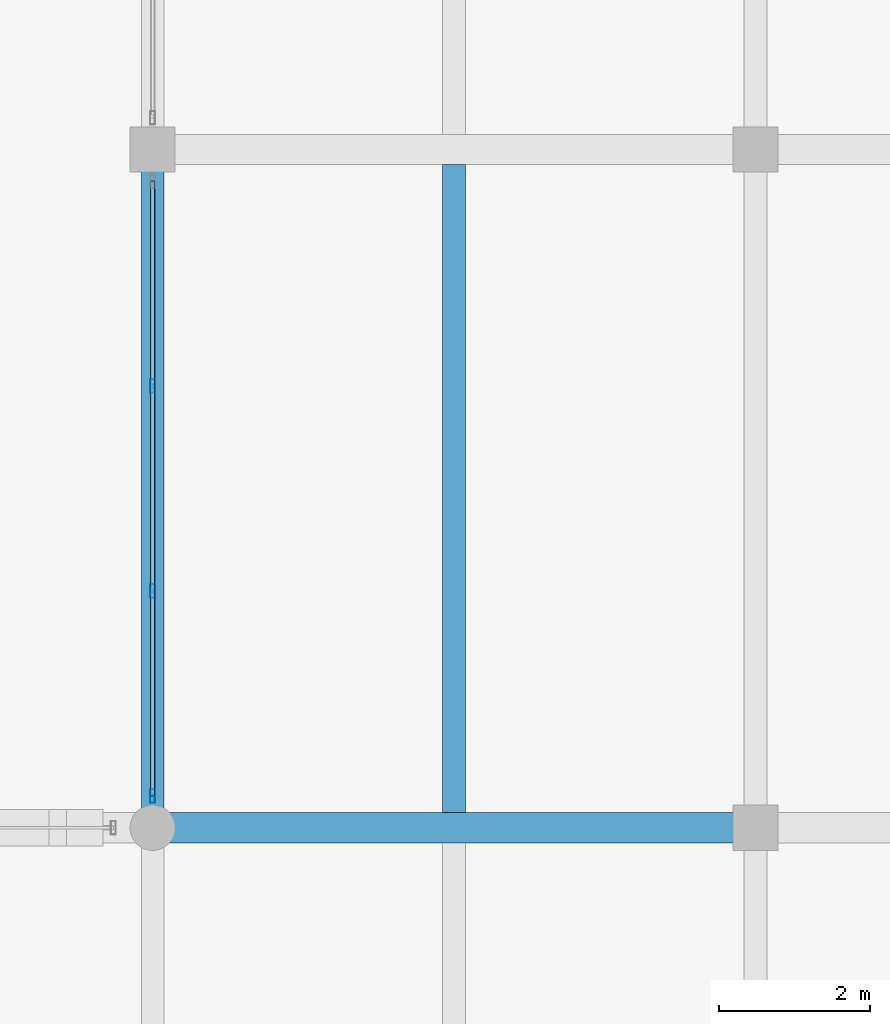
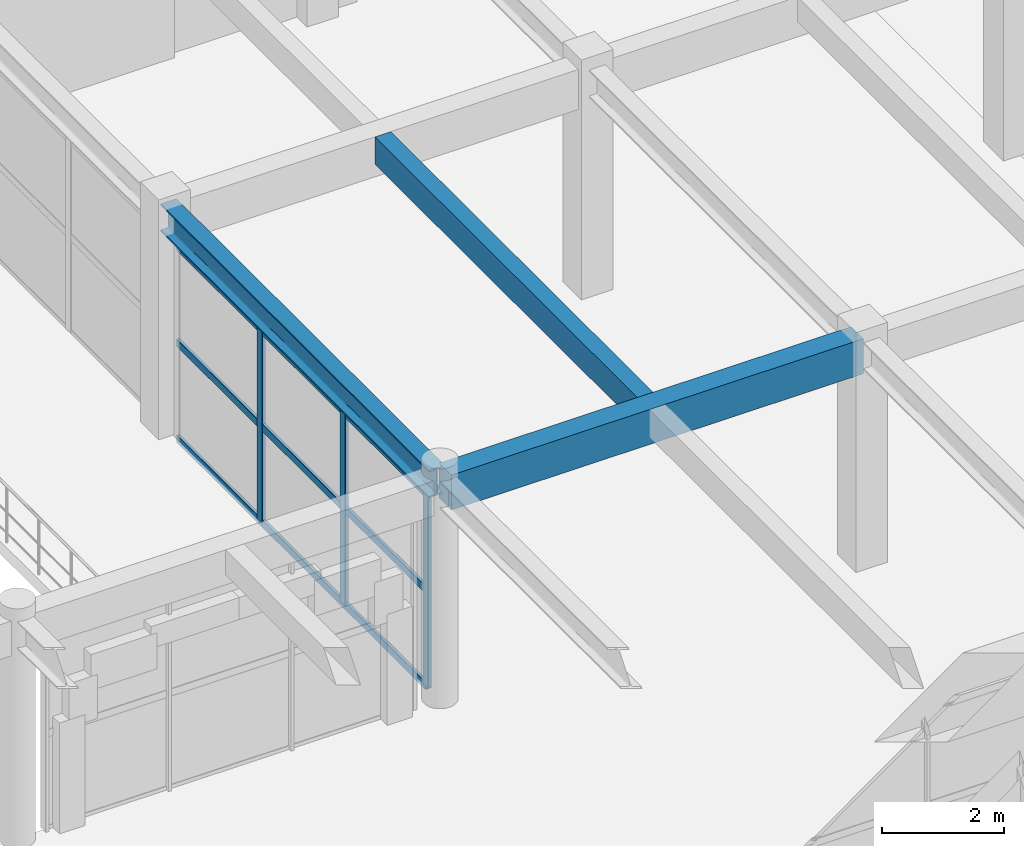
# One storey, part 59 of 144: 6 members, 3 beams, 1 element without a shape of its own.
"""IFC4 building model written with IfcOpenShell, lengths in metres."""

from ifc_helpers import new_model, si_unit, direction, frame, origin, origin_2d, place, context, subcontext, project, spatial, rectangle, hollow_rectangle, i_section, extrude, material, material_profile, profile_set, type_object, element, aggregate, save


model = new_model("IFC4")

# Units and contexts
model_context = context("Model", 3, precision=1e-05, world=origin(), true_north=direction((0.0, 1.0)))
body_context = subcontext(model_context, "Body", "Model", "MODEL_VIEW")
ifc_project = project(units=[si_unit("LENGTHUNIT", "METRE"), si_unit("AREAUNIT", "SQUARE_METRE"), si_unit("VOLUMEUNIT", "CUBIC_METRE"), si_unit("PLANEANGLEUNIT", "RADIAN"), si_unit("MASSUNIT", "GRAM", prefix="KILO")], contexts=[model_context])

# Site, building, storey
site_placement = place(None, origin())
site = spatial("IfcSite", under=ifc_project, at=site_placement, CompositionType="ELEMENT")
building_placement = place(site_placement, origin())
building = spatial("IfcBuilding", under=site, at=building_placement, Name="Varnabhumi Central Station", CompositionType="ELEMENT")
storey_placement = place(building_placement, frame((0.0, 0.0, 4.800048828125)))
storey = spatial("IfcBuildingStorey", under=building, at=storey_placement, Name="L01", CompositionType="ELEMENT", Elevation=4.800048828125)

# Beams
ifc_material_1 = material(Name="Concrete M40", Category="concrete")
ifc_material_profile_1 = material_profile(ifc_material_1, rectangle(XDim=0.300048828125, YDim=0.550048828125, at=origin_2d()), Name="Concrete M40", Category="concrete")
ifc_profile_set_1 = profile_set([ifc_material_profile_1], Name="Concrete M40")
beam_type_1 = type_object("IfcBeamType", Name="BM-RC-300x550", PredefinedType="JOIST", material=ifc_profile_set_1)
beam_1_placement = place(storey_placement, frame((84.0, 89.199951171875, 4.27490234375), z_axis=(0.0, 1.0, 0.0), x_axis=(-1.0, 0.0, 0.0)))
element("IfcBeam", 1, at=beam_1_placement, inside=storey, type_object=beam_type_1, Name="Secondary Joist L01-11/12:L-M", PredefinedType="JOIST", context=body_context, shape_type="SweptSolid", body=[
    extrude(rectangle(XDim=0.300048828125, YDim=0.550048828125, at=origin_2d()), origin(), (0.0, 0.0, 1.0), 8.60009765625),
])
ifc_material_profile_2 = material_profile(ifc_material_1, rectangle(XDim=0.39990234375, YDim=0.699951171875, at=origin_2d()), Name="Concrete M40", Category="concrete")
ifc_profile_set_2 = profile_set([ifc_material_profile_2], Name="Concrete M40")
beam_type_2 = type_object("IfcBeamType", Name="BM-RC-400x700", PredefinedType="BEAM", material=ifc_profile_set_2)
beam_2_placement = place(storey_placement, frame((80.10009765625, 89.0, 4.199951171875), z_axis=(1.0, 0.0, 0.0), x_axis=(0.0, 1.0, 0.0)))
element("IfcBeam", 2, at=beam_2_placement, inside=storey, type_object=beam_type_2, Name="Beam L01-L:11-12", PredefinedType="BEAM", context=body_context, shape_type="SweptSolid", body=[
    extrude(rectangle(XDim=0.39990234375, YDim=0.699951171875, at=origin_2d()), origin(), (0.0, 0.0, 1.0), 7.7998046875),
])
ifc_material_2 = material(Name="Structural steel E350", Category="steel")
ifc_material_profile_3 = material_profile(ifc_material_2, i_section(OverallWidth=0.300048828125, OverallDepth=0.550048828125, WebThickness=0.014892578125, FlangeThickness=0.029052734375, FilletRadius=0.027099609375, at=origin_2d()), Name="Structural steel E350", Category="steel")
ifc_profile_set_3 = profile_set([ifc_material_profile_3], Name="Structural steel E350")
beam_type_3 = type_object("IfcBeamType", Name="BM-STL-WPB550", PredefinedType="BEAM", material=ifc_profile_set_3)
beam_3_placement = place(storey_placement, frame((80.0, 89.10009765625, 4.27490234375), z_axis=(0.0, 1.0, 0.0), x_axis=(-1.0, 0.0, 0.0)))
element("IfcBeam", 3, at=beam_3_placement, inside=storey, type_object=beam_type_3, Name="Beam L01-11:L-M", PredefinedType="BEAM", context=body_context, shape_type="SweptSolid", body=[
    extrude(i_section(OverallWidth=0.300048828125, OverallDepth=0.550048828125, WebThickness=0.014892578125, FlangeThickness=0.029052734375, FilletRadius=0.027099609375, at=origin_2d()), origin(), (0.0, 0.0, 1.0), 8.7998046875),
])

# Curtain wall, members
ifc_material_3 = material(Name="Anodised aluminium 6063-T6", Category="aluminium")
curtain_wall_type = type_object("IfcCurtainWallType", Name="CW-PATIO-LOGGIA-L1", PredefinedType="NOTDEFINED", material=ifc_material_3)
curtain_wall_placement = place(storey_placement, origin())
curtain_wall = element("IfcCurtainWall", 4, at=curtain_wall_placement, inside=storey, type_object=curtain_wall_type, Name="Curtain Wall CW-NP1W1", PredefinedType="NOTDEFINED")
ifc_material_profile_4 = material_profile(ifc_material_3, hollow_rectangle(XDim=0.06494140625, YDim=0.179931640625, WallThickness=0.00390625, InnerFilletRadius=0.001953125, OuterFilletRadius=0.006103515625, at=origin_2d()), Name="Anodised aluminium 6063-T6", Category="aluminium")
ifc_profile_set_4 = profile_set([ifc_material_profile_4], Name="Anodised aluminium 6063-T6")
member_type_1 = type_object("IfcMemberType", Name="CW-MUL-180", PredefinedType="MULLION", material=ifc_profile_set_4)
member_1_placement = place(storey_placement, frame((80.0, 89.419921875, 0.0), z_axis=(0.0, 0.0, 1.0), x_axis=(1.0, 0.0, 0.0)))
member_1 = element("IfcMember", 5, at=member_1_placement, type_object=member_type_1, Name="Curtain Wall Mullion CW-NP1W1-M1", PredefinedType="MULLION", context=body_context, shape_type="SweptSolid", body=[
    extrude(hollow_rectangle(XDim=0.06494140625, YDim=0.179931640625, WallThickness=0.00390625, InnerFilletRadius=0.001953125, OuterFilletRadius=0.006103515625, at=origin_2d()), origin(), (0.0, 0.0, 1.0), 3.83984375),
])
member_2_placement = place(storey_placement, frame((80.0, 92.139892578125, 0.0), z_axis=(0.0, 0.0, 1.0), x_axis=(1.0, 0.0, 0.0)))
member_2 = element("IfcMember", 6, at=member_2_placement, type_object=member_type_1, Name="Curtain Wall Mullion CW-NP1W1-M2", PredefinedType="MULLION", context=body_context, shape_type="SweptSolid", body=[
    extrude(hollow_rectangle(XDim=0.06494140625, YDim=0.179931640625, WallThickness=0.00390625, InnerFilletRadius=0.001953125, OuterFilletRadius=0.006103515625, at=origin_2d()), origin(), (0.0, 0.0, 1.0), 3.83984375),
])
member_3_placement = place(storey_placement, frame((80.0, 94.860107421875, 0.0), z_axis=(0.0, 0.0, 1.0), x_axis=(1.0, 0.0, 0.0)))
member_3 = element("IfcMember", 7, at=member_3_placement, type_object=member_type_1, Name="Curtain Wall Mullion CW-NP1W1-M3", PredefinedType="MULLION", context=body_context, shape_type="SweptSolid", body=[
    extrude(hollow_rectangle(XDim=0.06494140625, YDim=0.179931640625, WallThickness=0.00390625, InnerFilletRadius=0.001953125, OuterFilletRadius=0.006103515625, at=origin_2d()), origin(), (0.0, 0.0, 1.0), 3.83984375),
])
ifc_material_profile_5 = material_profile(ifc_material_3, hollow_rectangle(XDim=0.06005859375, YDim=0.14990234375, WallThickness=0.00390625, InnerFilletRadius=0.001953125, OuterFilletRadius=0.006103515625, at=origin_2d()), Name="Anodised aluminium 6063-T6", Category="aluminium")
ifc_profile_set_5 = profile_set([ifc_material_profile_5], Name="Anodised aluminium 6063-T6")
member_type_2 = type_object("IfcMemberType", Name="CW-TR-150", PredefinedType="USERDEFINED", material=ifc_profile_set_5)
member_4_placement = place(storey_placement, frame((80.0, 89.419921875, 0.0), z_axis=(0.0, 1.0, 0.0), x_axis=(-1.0, 0.0, 0.0)))
member_4 = element("IfcMember", 8, at=member_4_placement, type_object=member_type_2, Name="Curtain Wall Transom CW-NP1W1-T1", ObjectType="TRANSOM", PredefinedType="USERDEFINED", context=body_context, shape_type="SweptSolid", body=[
    extrude(hollow_rectangle(XDim=0.06005859375, YDim=0.14990234375, WallThickness=0.00390625, InnerFilletRadius=0.001953125, OuterFilletRadius=0.006103515625, at=origin_2d()), origin(), (0.0, 0.0, 1.0), 8.16015625),
])
member_5_placement = place(storey_placement, frame((80.0, 89.419921875, 1.919921875), z_axis=(0.0, 1.0, 0.0), x_axis=(-1.0, 0.0, 0.0)))
member_5 = element("IfcMember", 9, at=member_5_placement, type_object=member_type_2, Name="Curtain Wall Transom CW-NP1W1-T2", ObjectType="TRANSOM", PredefinedType="USERDEFINED", context=body_context, shape_type="SweptSolid", body=[
    extrude(hollow_rectangle(XDim=0.06005859375, YDim=0.14990234375, WallThickness=0.00390625, InnerFilletRadius=0.001953125, OuterFilletRadius=0.006103515625, at=origin_2d()), origin(), (0.0, 0.0, 1.0), 8.16015625),
])
member_6_placement = place(storey_placement, frame((80.0, 89.419921875, 3.83984375), z_axis=(0.0, 1.0, 0.0), x_axis=(-1.0, 0.0, 0.0)))
member_6 = element("IfcMember", 10, at=member_6_placement, type_object=member_type_2, Name="Curtain Wall Transom CW-NP1W1-T3", ObjectType="TRANSOM", PredefinedType="USERDEFINED", context=body_context, shape_type="SweptSolid", body=[
    extrude(hollow_rectangle(XDim=0.06005859375, YDim=0.14990234375, WallThickness=0.00390625, InnerFilletRadius=0.001953125, OuterFilletRadius=0.006103515625, at=origin_2d()), origin(), (0.0, 0.0, 1.0), 8.16015625),
])
aggregate(curtain_wall, [member_1, member_2, member_3, member_4, member_5, member_6])

save(model, "model.ifc")
